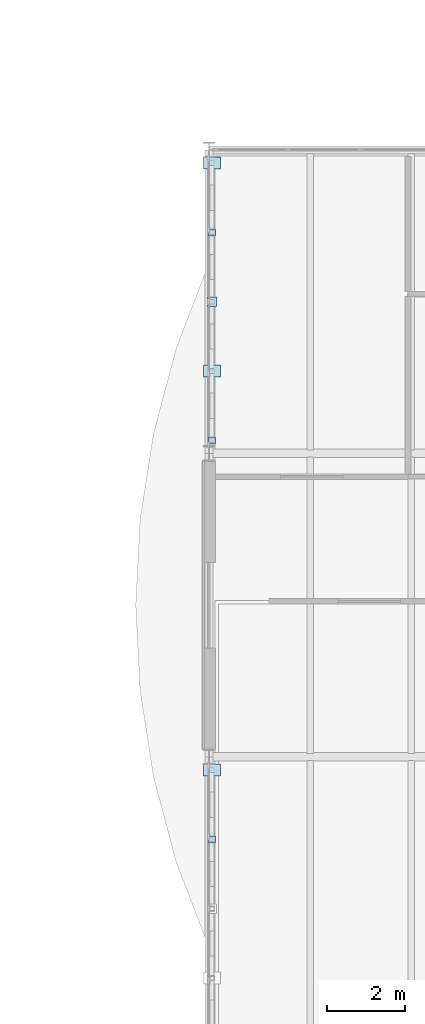
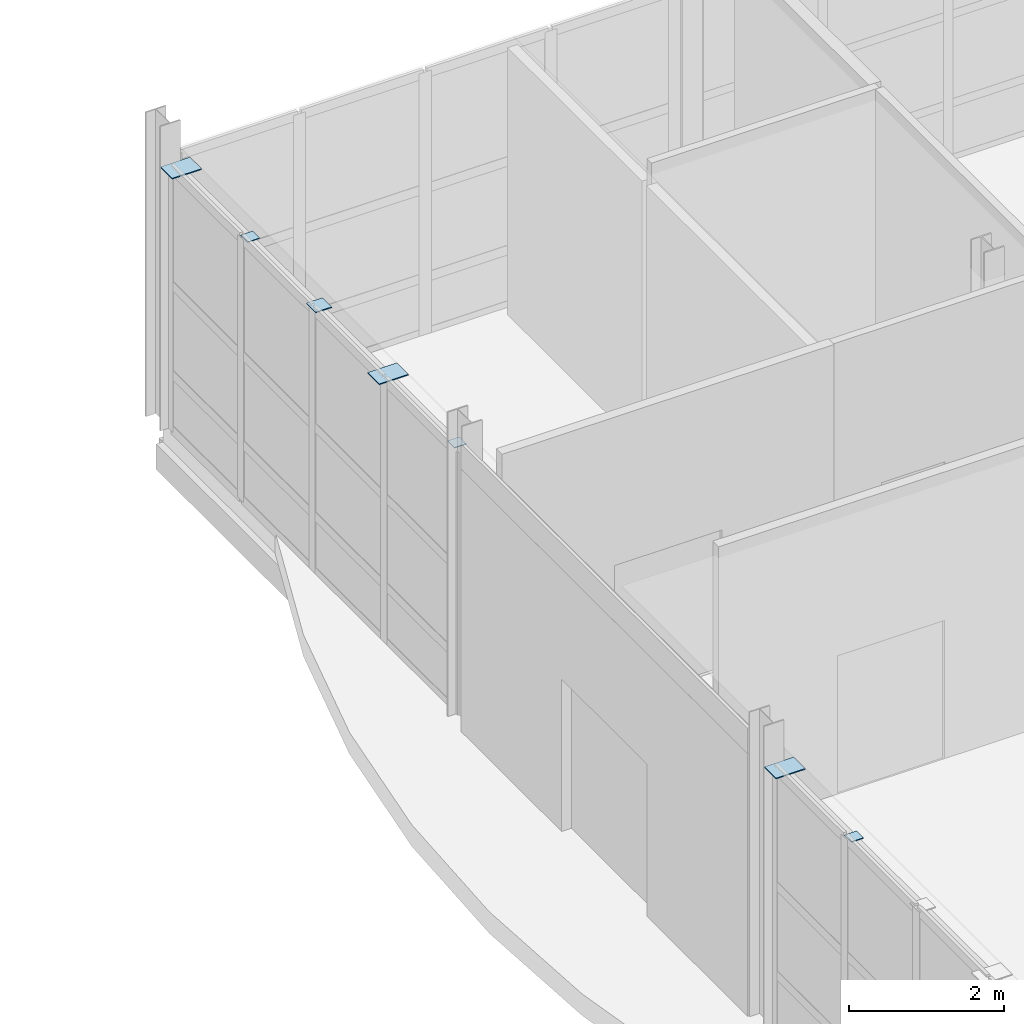
# One storey, part 88 of 131: 7 plates.
"""IFC4 building model written with IfcOpenShell, lengths in metres."""

import ifcopenshell
import ifcopenshell.guid

model = None  # the IFC model being written
_history = None  # IfcOwnerHistory: only IFC2X3 demands one
_inside = {}  # id of a spatial element -> (the spatial element, [elements in it])
_under = {}  # id of a project, library or spatial element -> (it, [spatial elements below it])
_declared = {}  # id of a project -> (the project, [libraries it declares])
_typed = {}  # id of a type object -> (the type object, [elements of that type])
_made_of = {}  # id of a material, layer set ... -> (it, [elements and type objects made of it])


def new_model(schema):
    """Start an empty IFC model of exactly this schema.

    Asked for "IFC4X3", IfcOpenShell would pick the latest addendum, in which some entities
    have other attributes; the version numbers below select the first issue.
    IFC2X3 requires an IfcOwnerHistory on every rooted entity: one is made here for all.
    """
    global model, _history
    if schema == "IFC4X3":
        model = ifcopenshell.file(schema_version=(4, 3, 0, 0))
    else:
        model = ifcopenshell.file(schema=schema)
    _inside.clear()
    _under.clear()
    _declared.clear()
    _typed.clear()
    _made_of.clear()
    _history = None
    if model.schema == "IFC2X3":
        org = make("IfcOrganization", Name="unknown")
        user = make(
            "IfcPersonAndOrganization",
            ThePerson=make("IfcPerson", FamilyName="unknown"),
            TheOrganization=org,
        )
        app = make(
            "IfcApplication",
            ApplicationDeveloper=org,
            Version="unknown",
            ApplicationFullName="unknown",
            ApplicationIdentifier="unknown",
        )
        _history = make(
            "IfcOwnerHistory",
            OwningUser=user,
            OwningApplication=app,
            ChangeAction="ADDED",
            CreationDate=0,
        )
    return model


def make(cls, **values):
    """One entity of the class cls with the attributes given. An attribute that is None is left unset."""
    return model.create_entity(
        cls, **{name: value for name, value in values.items() if value is not None}
    )


def rooted(cls, **values):
    """An entity with a GlobalId (a new one), such as an element, a storey or a relation."""
    return make(cls, GlobalId=ifcopenshell.guid.new(), OwnerHistory=_history, **values)


def si_unit(unit_type, name, prefix=None):
    """IfcSIUnit, for example si_unit("LENGTHUNIT", "METRE", prefix="MILLI")."""
    return make("IfcSIUnit", UnitType=unit_type, Prefix=prefix, Name=name)


def assignment(units):
    """IfcUnitAssignment: the units of a project."""
    return None if units is None else make("IfcUnitAssignment", Units=units)


def point(xyz):
    """IfcCartesianPoint."""
    return None if xyz is None else make("IfcCartesianPoint", Coordinates=xyz)


def direction(xyz):
    """IfcDirection."""
    return None if xyz is None else make("IfcDirection", DirectionRatios=xyz)


def frame(location, z_axis=None, x_axis=None):
    """IfcAxis2Placement3D, a coordinate frame: its origin and axes. An axis left out is left unset."""
    return make(
        "IfcAxis2Placement3D",
        Location=point(location),
        Axis=direction(z_axis),
        RefDirection=direction(x_axis),
    )


def frame_2d(location, x_axis=None):
    """IfcAxis2Placement2D, a coordinate frame in the plane: its origin and x axis."""
    return make(
        "IfcAxis2Placement2D", Location=point(location), RefDirection=direction(x_axis)
    )


def origin():
    """The frame at (0, 0, 0) with its axes left unset."""
    return frame((0.0, 0.0, 0.0))


def origin_2d():
    """The frame at (0, 0) in the plane with its x axis left unset."""
    return frame_2d((0.0, 0.0))


def place(relative_to, where):
    """IfcLocalPlacement: puts the frame where relative to a parent placement (None: the world)."""
    return make(
        "IfcLocalPlacement", PlacementRelTo=relative_to, RelativePlacement=where
    )


def context(
    kind, dimensions, precision=None, world=None, true_north=None, identifier=None
):
    """IfcGeometricRepresentationContext, for example the 3D "Model" context."""
    return make(
        "IfcGeometricRepresentationContext",
        ContextIdentifier=identifier,
        ContextType=kind,
        CoordinateSpaceDimension=dimensions,
        Precision=precision,
        WorldCoordinateSystem=world,
        TrueNorth=true_north,
    )


def subcontext(parent, identifier, kind, view, scale=None):
    """IfcGeometricRepresentationSubContext, for example "Body" below "Model"."""
    return make(
        "IfcGeometricRepresentationSubContext",
        ContextIdentifier=identifier,
        ContextType=kind,
        ParentContext=parent,
        TargetScale=scale,
        TargetView=view,
    )


def project(units=None, contexts=None):
    """IfcProject with its units and contexts."""
    return rooted(
        "IfcProject",
        Name="project",
        RepresentationContexts=contexts,
        UnitsInContext=assignment(units),
    )


def spatial(cls, under=None, at=None, **own):
    """A site, building, storey or space (cls), placed at a placement, below another one or the project."""
    s = rooted(cls, ObjectPlacement=at, **own)
    if under is not None:
        _under.setdefault(under.id(), (under, []))[1].append(s)
    return s


def profile(cls, at=None, kind="AREA", **sizes):
    """A parametric profile (cls). Its sizes go by their IFC names, for example OverallWidth=200.0."""
    return make(cls, ProfileType=kind, Position=at, **sizes)


def rectangle(**sizes):
    """IfcRectangleProfileDef."""
    return profile("IfcRectangleProfileDef", **sizes)


def extrude(swept, where, along, depth):
    """IfcExtrudedAreaSolid: the profile swept, set in the frame where, extruded along a direction by depth."""
    return make(
        "IfcExtrudedAreaSolid",
        SweptArea=swept,
        Position=where,
        ExtrudedDirection=direction(along),
        Depth=depth,
    )


def shape(context_of_items, identifier, shape_type, items):
    """IfcShapeRepresentation: the items that make up one representation, for example the "Body"."""
    return make(
        "IfcShapeRepresentation",
        ContextOfItems=context_of_items,
        RepresentationIdentifier=identifier,
        RepresentationType=shape_type,
        Items=items,
    )


def material(Name=None, Category=None):
    """IfcMaterial."""
    return make("IfcMaterial", Name=Name, Category=Category)


def layer(
    of_material, thickness, ventilated=None, Name=None, Category=None, Priority=None
):
    """IfcMaterialLayer: one layer of a wall or slab, of a material (None: an air gap)."""
    return make(
        "IfcMaterialLayer",
        Material=of_material,
        LayerThickness=thickness,
        IsVentilated=ventilated,
        Name=Name,
        Category=Category,
        Priority=Priority,
    )


def layer_set(layers, Name=None):
    """IfcMaterialLayerSet."""
    return make("IfcMaterialLayerSet", MaterialLayers=layers, LayerSetName=Name)


def made_of(thing, what):
    """Note that an element or type object is made of a material, layer set ...; save() writes the relation."""
    if what is not None:
        _made_of.setdefault(what.id(), (what, []))[1].append(thing)
    return thing


def type_object(cls, material=None, **own):
    """A type object (cls), such as IfcWallType, which elements share."""
    return made_of(rooted(cls, **own), material)


def element(
    cls,
    number,
    at=None,
    inside=None,
    cuts=None,
    type_object=None,
    material=None,
    context=None,
    identifier="Body",
    shape_type=None,
    held_by="IfcProductDefinitionShape",
    body=None,
    shapes=None,
    **own,
):
    """One element of the class cls, such as IfcWall. Its Tag is "e" and its number.

    at: its placement. inside: the storey or other place that contains it. cuts: it is an
    opening in that element (IfcRelVoidsElement). A single representation is given by context,
    identifier, shape_type and body (its items); several are given by shapes. held_by: the class
    of the entity that holds the representations. save() writes the other relations.
    """
    e = rooted(cls, Tag="e%d" % number, ObjectPlacement=at, **own)
    if body is not None:
        shapes = [shape(context, identifier, shape_type, body)]
    if shapes is not None:
        e.Representation = make(held_by, Representations=shapes)
    if inside is not None:
        _inside.setdefault(inside.id(), (inside, []))[1].append(e)
    if cuts is not None:
        rooted(
            "IfcRelVoidsElement", RelatingBuildingElement=cuts, RelatedOpeningElement=e
        )
    if type_object is not None:
        _typed.setdefault(type_object.id(), (type_object, []))[1].append(e)
    return made_of(e, material)


def aggregate(whole, parts):
    """IfcRelAggregates: a whole, such as a stair, and the parts it consists of."""
    return rooted("IfcRelAggregates", RelatingObject=whole, RelatedObjects=parts)


def save(model, path):
    """Write the relations noted so far, then the file.

    IfcRelAggregates (storeys below a building ...), IfcRelContainedInSpatialStructure (elements
    in a storey), IfcRelDefinesByType, IfcRelAssociatesMaterial and IfcRelDeclares: one each for
    every whole, place, type object, material and project.
    """
    for whole, parts in _under.values():
        aggregate(whole, parts)
    for where, things in _inside.values():
        rooted(
            "IfcRelContainedInSpatialStructure",
            RelatedElements=things,
            RelatingStructure=where,
        )
    for kind, things in _typed.values():
        rooted("IfcRelDefinesByType", RelatedObjects=things, RelatingType=kind)
    for what, things in _made_of.values():
        rooted("IfcRelAssociatesMaterial", RelatedObjects=things, RelatingMaterial=what)
    for by, libraries in _declared.values():
        rooted("IfcRelDeclares", RelatingContext=by, RelatedDefinitions=libraries)
    model.write(path)


model = new_model("IFC4")

# Units and contexts
model_context = context("Model", 3, precision=1e-05, world=origin(), true_north=direction((0.0, 1.0)))
body_context = subcontext(model_context, "Body", "Model", "MODEL_VIEW")
ifc_project = project(units=[si_unit("LENGTHUNIT", "METRE"), si_unit("AREAUNIT", "SQUARE_METRE"), si_unit("VOLUMEUNIT", "CUBIC_METRE"), si_unit("PLANEANGLEUNIT", "RADIAN"), si_unit("MASSUNIT", "GRAM", prefix="KILO")], contexts=[model_context])

# Site, building, storey
site_placement = place(None, origin())
site = spatial("IfcSite", under=ifc_project, at=site_placement, CompositionType="ELEMENT")
building_placement = place(site_placement, origin())
building = spatial("IfcBuilding", under=site, at=building_placement, Name="Celorna Specialist Clinic", CompositionType="ELEMENT")
storey_placement = place(building_placement, origin())
storey = spatial("IfcBuildingStorey", under=building, at=storey_placement, Name="L00", CompositionType="ELEMENT", Elevation=0.0)

# Plates
ifc_material = material(Name="Steel S355", Category="steel")
ifc_layer_1 = layer(ifc_material, 0.011962890625, Name="Steel S355")
ifc_layer_set_1 = layer_set([ifc_layer_1], Name="Steel S355")
plate_type_1 = type_object("IfcPlateType", Name="EP-06", PredefinedType="SHEET", material=ifc_layer_set_1)
for number, where, z_axis, x_axis, name in (
    (1, (124.8798828125, 65.6826171875, 4.14013671875), (0.0, 0.0, 1.0), (0.0, 1.0, 0.0), "Screen post cap plate EP-06 #1860"),
    (2, (124.8798828125, 75.93505859375, 4.14013671875), (0.0, 0.0, 1.0), (0.0, 1.0, 0.0), "Screen post cap plate EP-06 #1878"),
    (3, (124.8798828125, 81.282470703125, 4.14013671875), (0.0, 0.0, 1.0), (0.0, 1.0, 0.0), "Screen post cap plate EP-06 #1881"),
):
    element("IfcPlate", number, at=place(storey_placement, frame(where, z_axis=z_axis, x_axis=x_axis)), inside=storey, type_object=plate_type_1, Name=name, PredefinedType="SHEET", context=body_context, shape_type="SweptSolid", body=[
        extrude(rectangle(XDim=0.179931640625, YDim=0.179931640625, at=origin_2d()), origin(), (0.0, 0.0, 1.0), 0.011962890625),
    ])
ifc_layer_2 = layer(ifc_material, 0.01611328125, Name="Steel S355")
ifc_layer_set_2 = layer_set([ifc_layer_2], Name="Steel S355")
plate_type_2 = type_object("IfcPlateType", Name="EP-07", PredefinedType="SHEET", material=ifc_layer_set_2)
for number, where, z_axis, x_axis, name in (
    (4, (124.8798828125, 67.465087890625, 4.139892578125), (0.0, 0.0, 1.0), (0.0, 1.0, 0.0), "Screen post cap plate EP-07 #1861"),
    (5, (124.8798828125, 77.717529296875, 4.139892578125), (0.0, 0.0, 1.0), (0.0, 1.0, 0.0), "Screen post cap plate EP-07 #1879"),
    (6, (124.8798828125, 83.06494140625, 4.139892578125), (0.0, 0.0, 1.0), (0.0, 1.0, 0.0), "Screen post cap plate EP-07 #1882"),
):
    element("IfcPlate", number, at=place(storey_placement, frame(where, z_axis=z_axis, x_axis=x_axis)), inside=storey, type_object=plate_type_2, Name=name, PredefinedType="SHEET", context=body_context, shape_type="SweptSolid", body=[
        extrude(rectangle(XDim=0.300048828125, YDim=0.43994140625, at=origin_2d()), origin(), (0.0, 0.0, 1.0), 0.01611328125),
    ])
ifc_layer_3 = layer(ifc_material, 0.013916015625, Name="Steel S355")
ifc_layer_set_3 = layer_set([ifc_layer_3], Name="Steel S355")
plate_type_3 = type_object("IfcPlateType", Name="EP-08", PredefinedType="SHEET", material=ifc_layer_set_3)
plate_placement = place(storey_placement, frame((124.8798828125, 79.5, 4.14013671875), z_axis=(0.0, 0.0, 1.0), x_axis=(0.0, 1.0, 0.0)))
element("IfcPlate", 7, at=plate_placement, inside=storey, type_object=plate_type_3, Name="Screen post cap plate EP-08 #1880", PredefinedType="SHEET", context=body_context, shape_type="SweptSolid", body=[
    extrude(rectangle(XDim=0.239990234375, YDim=0.239990234375, at=origin_2d()), origin(), (0.0, 0.0, 1.0), 0.013916015625),
])

save(model, "model.ifc")
